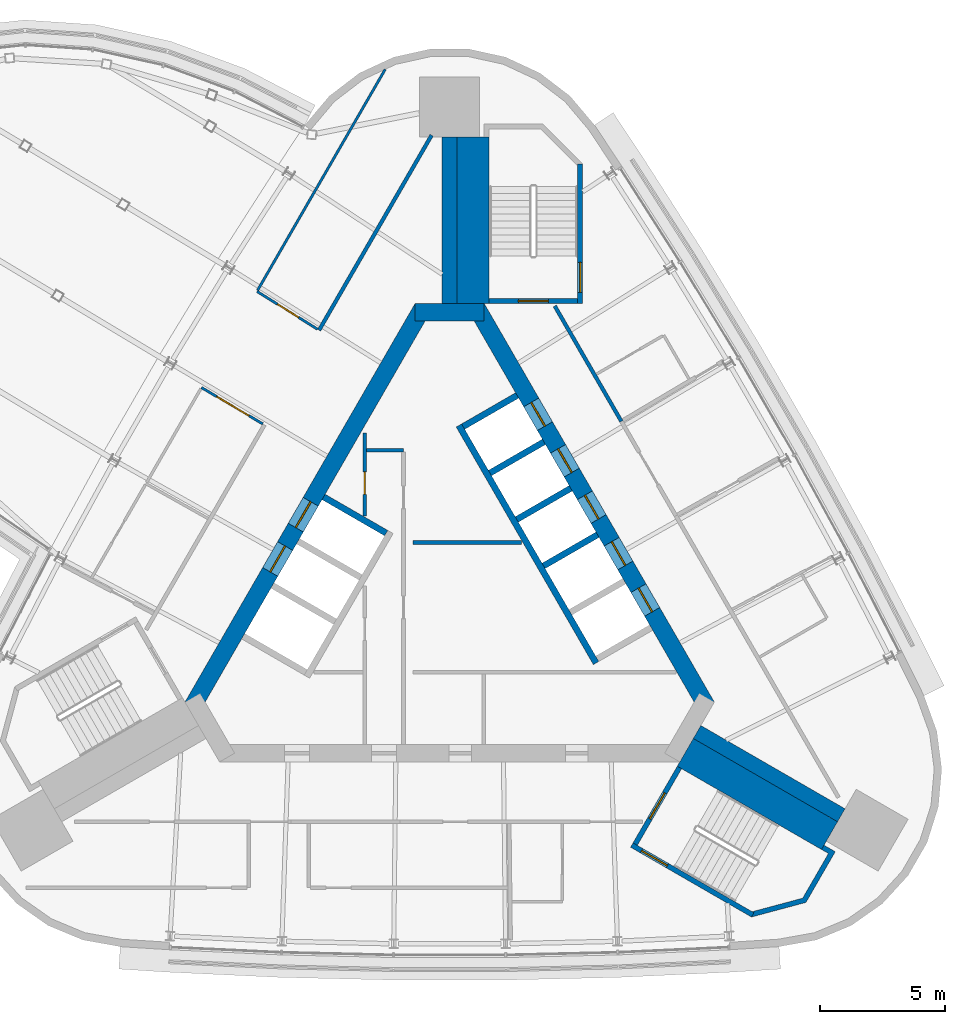
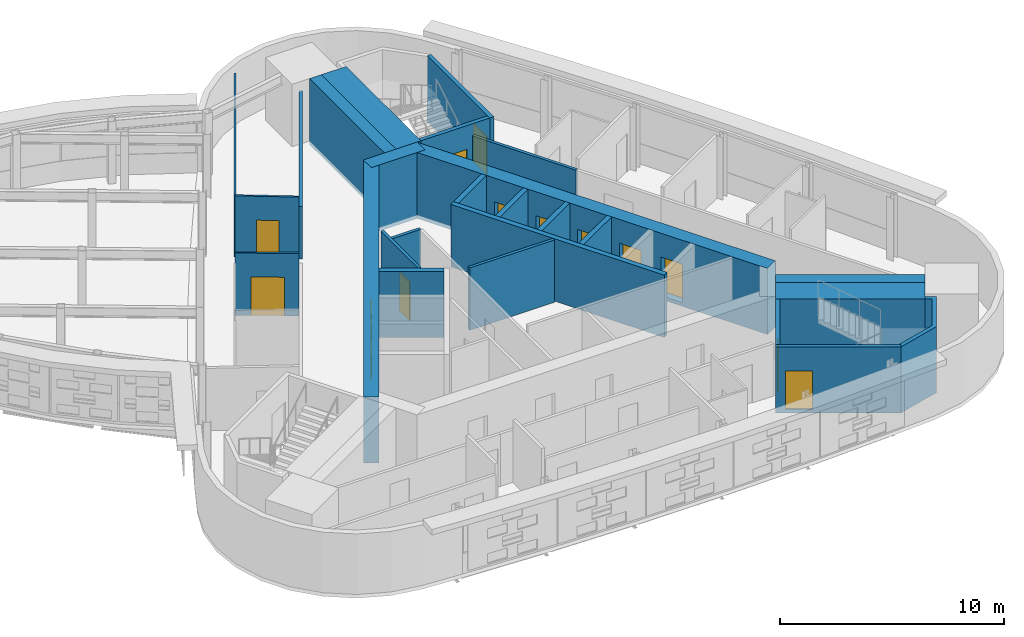
# One storey, part 10 of 13: 26 walls, 14 doors, 14 openings.
"""IFC4 building model written with IfcOpenShell, lengths in metres."""

from ifc_helpers import new_model, si_unit, direction, frame, frame_2d, origin, place, context, subcontext, project, spatial, polyline, rectangle, outline, extrude, material, layer, layer_set, type_object, element, fill, save


model = new_model("IFC4")

# Units and contexts
model_context = context("Model", 3, precision=1e-05, world=origin(), true_north=direction((0.0, 1.0)))
body_context = subcontext(model_context, "Body", "Model", "MODEL_VIEW")
ifc_project = project(units=[si_unit("LENGTHUNIT", "METRE"), si_unit("AREAUNIT", "SQUARE_METRE"), si_unit("VOLUMEUNIT", "CUBIC_METRE"), si_unit("PLANEANGLEUNIT", "RADIAN"), si_unit("MASSUNIT", "GRAM", prefix="KILO")], contexts=[model_context])

# Site, building, storey
site_placement = place(None, origin())
site = spatial("IfcSite", under=ifc_project, at=site_placement, CompositionType="ELEMENT")
building_placement = place(site_placement, origin())
building = spatial("IfcBuilding", under=site, at=building_placement, Name="Noor Cloister Tower", CompositionType="ELEMENT")
storey_placement = place(building_placement, frame((0.0, 0.0, 270.60009765625)))
storey = spatial("IfcBuildingStorey", under=building, at=storey_placement, Name="L69", CompositionType="ELEMENT", Elevation=270.60009765625)

# Walls
ifc_material_1 = material(Name="Concrete C60/75", Category="concrete")
ifc_layer_1 = layer(ifc_material_1, 0.60009765625)
ifc_layer_set_1 = layer_set([ifc_layer_1], Name="Buttress wall 600 C60/75")
wall_type_1 = type_object("IfcWallType", Name="Buttress wall 600 C60/75", PredefinedType="SHEAR", material=ifc_layer_set_1)
wall_1_placement = place(storey_placement, frame((0.0, 11.456298828125, -0.2001953125), z_axis=(0.0, 0.0, 1.0), x_axis=(0.0, 1.0, 0.0)))
element("IfcWall", 1, at=wall_1_placement, inside=storey, type_object=wall_type_1, Name="Buttress wall N L69", PredefinedType="SHEAR", context=body_context, shape_type="SweptSolid", body=[
    extrude(rectangle(XDim=6.6787109375, YDim=0.60009765625, at=frame_2d((3.33935546875, 0.0))), origin(), (0.0, 0.0, 1.0), 3.60009765625),
])
wall_2_placement = place(storey_placement, frame((9.921630859375, -5.728271484375, -0.2001953125), z_axis=(0.0, 0.0, 1.0), x_axis=(0.866032176823, -0.499988268569, 0.0)))
element("IfcWall", 2, at=wall_2_placement, inside=storey, type_object=wall_type_1, Name="Buttress wall SE L69", PredefinedType="SHEAR", context=body_context, shape_type="SweptSolid", body=[
    extrude(rectangle(XDim=6.678466796875, YDim=0.60009765625, at=frame_2d((3.33935546875, 0.0))), origin(), (0.0, 0.0, 1.0), 3.60009765625),
])

# Wall, opening, door
ifc_material_2 = material(Name="Concrete C30/37", Category="concrete")
ifc_layer_2 = layer(ifc_material_2, 0.14990234375)
ifc_layer_set_2 = layer_set([ifc_layer_2], Name="Core partition 150 C30/37")
wall_type_2 = type_object("IfcWallType", Name="Core partition 150 C30/37", PredefinedType="PARTITIONING", material=ifc_layer_set_2)
wall_3_placement = place(storey_placement, frame((-3.40380859375, 6.260986328125, 0.0), z_axis=(0.0, 0.0, 1.0), x_axis=(0.0, -1.0, 0.0)))
wall_3 = element("IfcWall", 3, at=wall_3_placement, inside=storey, type_object=wall_type_2, Name="Core room partition L69 3", PredefinedType="PARTITIONING", context=body_context, shape_type="SweptSolid", body=[
    extrude(rectangle(XDim=3.3271484375, YDim=0.14990234375, at=frame_2d((1.66357421875, 0.0))), origin(), (0.0, 0.0, 1.0), 3.39990234375),
])
opening_1_placement = place(wall_3_placement, frame((1.55712890625, 0.0, 0.0)))
opening_1 = element("IfcOpeningElement", 4, at=opening_1_placement, cuts=wall_3, Name="Opening L69-907", PredefinedType="OPENING", context=body_context, shape_type="SweptSolid", body=[
    extrude(rectangle(XDim=0.89990234375, YDim=2.10009765625, at=frame_2d((0.449951171875, 1.050048828125))), frame((0.0, 0.0849609375, 0.0), z_axis=(0.0, -1.0, 0.0), x_axis=(1.0, 0.0, 0.0)), (0.0, 0.0, 1.0), 0.169921875),
])
ifc_material_3 = material(Name="Steel", Category="steel")
door_type_1 = type_object("IfcDoorType", Name="Core door 900 x 2100 FD120", OperationType="SINGLE_SWING_LEFT", PredefinedType="DOOR", material=ifc_material_3)
door_1_placement = place(opening_1_placement, origin())
door_1 = element("IfcDoor", 5, at=door_1_placement, inside=storey, type_object=door_type_1, Name="Core door 7 L69", OperationType="SINGLE_SWING_LEFT", OverallHeight=2.10009765625, OverallWidth=0.89990234375, PredefinedType="DOOR", context=body_context, shape_type="SweptSolid", body=[
    extrude(rectangle(XDim=0.89990234375, YDim=2.10009765625, at=frame_2d((0.449951171875, 1.050048828125))), frame((0.0, 0.02490234375, 0.0), z_axis=(0.0, -1.0, 0.0), x_axis=(1.0, 0.0, 0.0)), (0.0, 0.0, 1.0), 0.050048828125),
])
fill(opening_1, door_1)

# Walls
wall_4_placement = place(storey_placement, frame((-3.32861328125, 5.57177734375, 0.0), z_axis=(0.0, 0.0, 1.0), x_axis=(1.0, 0.0, 0.0)))
element("IfcWall", 6, at=wall_4_placement, inside=storey, type_object=wall_type_2, Name="Core room partition L69 4", PredefinedType="PARTITIONING", context=body_context, shape_type="SweptSolid", body=[
    extrude(rectangle(XDim=1.474853515625, YDim=0.14990234375, at=frame_2d((0.7373046875, 0.0))), origin(), (0.0, 0.0, 1.0), 3.39990234375),
])
wall_5_placement = place(storey_placement, frame((-1.478759765625, 1.871826171875, 0.0), z_axis=(0.0, 0.0, 1.0), x_axis=(1.0, 0.0, 0.0)))
element("IfcWall", 7, at=wall_5_placement, inside=storey, type_object=wall_type_2, Name="Core room partition L69 7", PredefinedType="PARTITIONING", context=body_context, shape_type="SweptSolid", body=[
    extrude(rectangle(XDim=4.369384765625, YDim=0.14990234375, at=frame_2d((2.1845703125, 0.0))), origin(), (0.0, 0.0, 1.0), 3.39990234375),
])

# Wall, openings, doors
ifc_material_4 = material(Name="Concrete C60/75", Category="concrete")
ifc_layer_3 = layer(ifc_material_4, 0.699951171875)
ifc_layer_set_3 = layer_set([ifc_layer_3], Name="Core wall 700 C60/75")
wall_type_3 = type_object("IfcWallType", Name="Core wall 700 C60/75", PredefinedType="SHEAR", material=ifc_layer_set_3)
wall_6_placement = place(storey_placement, frame((10.311279296875, -4.703125, -0.2001953125), z_axis=(0.0, 0.0, 1.0), x_axis=(-0.500001446645, 0.866024568562, 0.0)))
wall_6 = element("IfcWall", 8, at=wall_6_placement, inside=storey, type_object=wall_type_3, Name="Core wall L69 3", PredefinedType="SHEAR", context=body_context, shape_type="SweptSolid", body=[
    extrude(rectangle(XDim=18.45751953125, YDim=0.699951171875, at=frame_2d((9.228759765625, 0.0))), origin(), (0.0, 0.0, 1.0), 3.60009765625),
])
opening_2_placement = place(wall_6_placement, frame((4.378662109375, 0.0, 0.199951171875)))
opening_2 = element("IfcOpeningElement", 9, at=opening_2_placement, cuts=wall_6, Name="Opening L69-HR1", PredefinedType="OPENING", context=body_context, shape_type="SweptSolid", body=[
    extrude(rectangle(XDim=1.10009765625, YDim=2.10009765625, at=frame_2d((0.550048828125, 1.050048828125))), frame((0.0, 0.35986328125, 0.0), z_axis=(0.0, -1.0, 0.0), x_axis=(1.0, 0.0, 0.0)), (0.0, 0.0, 1.0), 0.719970703125),
])
opening_3_placement = place(wall_6_placement, frame((6.52880859375, 0.0, 0.199951171875)))
opening_3 = element("IfcOpeningElement", 10, at=opening_3_placement, cuts=wall_6, Name="Opening L69-HR2", PredefinedType="OPENING", context=body_context, shape_type="SweptSolid", body=[
    extrude(rectangle(XDim=1.10009765625, YDim=2.10009765625, at=frame_2d((0.550048828125, 1.050048828125))), frame((0.0, 0.35986328125, 0.0), z_axis=(0.0, -1.0, 0.0), x_axis=(1.0, 0.0, 0.0)), (0.0, 0.0, 1.0), 0.719970703125),
])
opening_4_placement = place(wall_6_placement, frame((8.6787109375, 0.0, 0.199951171875)))
opening_4 = element("IfcOpeningElement", 11, at=opening_4_placement, cuts=wall_6, Name="Opening L69-HR3", PredefinedType="OPENING", context=body_context, shape_type="SweptSolid", body=[
    extrude(rectangle(XDim=1.10009765625, YDim=2.10009765625, at=frame_2d((0.550048828125, 1.050048828125))), frame((0.0, 0.35986328125, 0.0), z_axis=(0.0, -1.0, 0.0), x_axis=(1.0, 0.0, 0.0)), (0.0, 0.0, 1.0), 0.719970703125),
])
opening_5_placement = place(wall_6_placement, frame((10.82861328125, 0.0, 0.199951171875)))
opening_5 = element("IfcOpeningElement", 12, at=opening_5_placement, cuts=wall_6, Name="Opening L69-HR4", PredefinedType="OPENING", context=body_context, shape_type="SweptSolid", body=[
    extrude(rectangle(XDim=1.10009765625, YDim=2.10009765625, at=frame_2d((0.550048828125, 1.050048828125))), frame((0.0, 0.35986328125, 0.0), z_axis=(0.0, -1.0, 0.0), x_axis=(1.0, 0.0, 0.0)), (0.0, 0.0, 1.0), 0.719970703125),
])
opening_6_placement = place(wall_6_placement, frame((12.978759765625, 0.0, 0.199951171875)))
opening_6 = element("IfcOpeningElement", 13, at=opening_6_placement, cuts=wall_6, Name="Opening L69-HR5", PredefinedType="OPENING", context=body_context, shape_type="SweptSolid", body=[
    extrude(rectangle(XDim=1.10009765625, YDim=2.10009765625, at=frame_2d((0.550048828125, 1.050048828125))), frame((0.0, 0.35986328125, 0.0), z_axis=(0.0, -1.0, 0.0), x_axis=(1.0, 0.0, 0.0)), (0.0, 0.0, 1.0), 0.719970703125),
])
ifc_material_5 = material(Name="Stainless steel", Category="steel")
door_type_2 = type_object("IfcDoorType", Name="Lift landing door 1100 x 2100", OperationType="DOUBLE_DOOR_SLIDING", PredefinedType="DOOR", material=ifc_material_5)
door_2_placement = place(opening_2_placement, origin())
door_2 = element("IfcDoor", 14, at=door_2_placement, inside=storey, type_object=door_type_2, Name="Landing door HR1 L69", OperationType="DOUBLE_DOOR_SLIDING", OverallHeight=2.10009765625, OverallWidth=1.10009765625, PredefinedType="DOOR", context=body_context, shape_type="SweptSolid", body=[
    extrude(rectangle(XDim=1.10009765625, YDim=2.10009765625, at=frame_2d((0.550048828125, 1.050048828125))), frame((0.0, 0.02490234375, 0.0), z_axis=(0.0, -1.0, 0.0), x_axis=(1.0, 0.0, 0.0)), (0.0, 0.0, 1.0), 0.050048828125),
])
fill(opening_2, door_2)
door_3_placement = place(opening_3_placement, origin())
door_3 = element("IfcDoor", 15, at=door_3_placement, inside=storey, type_object=door_type_2, Name="Landing door HR2 L69", OperationType="DOUBLE_DOOR_SLIDING", OverallHeight=2.10009765625, OverallWidth=1.10009765625, PredefinedType="DOOR", context=body_context, shape_type="SweptSolid", body=[
    extrude(rectangle(XDim=1.10009765625, YDim=2.10009765625, at=frame_2d((0.550048828125, 1.050048828125))), frame((0.0, 0.02490234375, 0.0), z_axis=(0.0, -1.0, 0.0), x_axis=(1.0, 0.0, 0.0)), (0.0, 0.0, 1.0), 0.050048828125),
])
fill(opening_3, door_3)
door_4_placement = place(opening_4_placement, origin())
door_4 = element("IfcDoor", 16, at=door_4_placement, inside=storey, type_object=door_type_2, Name="Landing door HR3 L69", OperationType="DOUBLE_DOOR_SLIDING", OverallHeight=2.10009765625, OverallWidth=1.10009765625, PredefinedType="DOOR", context=body_context, shape_type="SweptSolid", body=[
    extrude(rectangle(XDim=1.10009765625, YDim=2.10009765625, at=frame_2d((0.550048828125, 1.050048828125))), frame((0.0, 0.02490234375, 0.0), z_axis=(0.0, -1.0, 0.0), x_axis=(1.0, 0.0, 0.0)), (0.0, 0.0, 1.0), 0.050048828125),
])
fill(opening_4, door_4)
door_5_placement = place(opening_5_placement, origin())
door_5 = element("IfcDoor", 17, at=door_5_placement, inside=storey, type_object=door_type_2, Name="Landing door HR4 L69", OperationType="DOUBLE_DOOR_SLIDING", OverallHeight=2.10009765625, OverallWidth=1.10009765625, PredefinedType="DOOR", context=body_context, shape_type="SweptSolid", body=[
    extrude(rectangle(XDim=1.10009765625, YDim=2.10009765625, at=frame_2d((0.550048828125, 1.050048828125))), frame((0.0, 0.02490234375, 0.0), z_axis=(0.0, -1.0, 0.0), x_axis=(1.0, 0.0, 0.0)), (0.0, 0.0, 1.0), 0.050048828125),
])
fill(opening_5, door_5)
door_6_placement = place(opening_6_placement, origin())
door_6 = element("IfcDoor", 18, at=door_6_placement, inside=storey, type_object=door_type_2, Name="Landing door HR5 L69", OperationType="DOUBLE_DOOR_SLIDING", OverallHeight=2.10009765625, OverallWidth=1.10009765625, PredefinedType="DOOR", context=body_context, shape_type="SweptSolid", body=[
    extrude(rectangle(XDim=1.10009765625, YDim=2.10009765625, at=frame_2d((0.550048828125, 1.050048828125))), frame((0.0, 0.02490234375, 0.0), z_axis=(0.0, -1.0, 0.0), x_axis=(1.0, 0.0, 0.0)), (0.0, 0.0, 1.0), 0.050048828125),
])
fill(opening_6, door_6)

# Wall
wall_7_placement = place(storey_placement, frame((1.3857421875, 11.1064453125, -0.2001953125), z_axis=(0.0, 0.0, 1.0), x_axis=(-1.0, 0.0, 0.0)))
element("IfcWall", 19, at=wall_7_placement, inside=storey, type_object=wall_type_3, Name="Core wall L69 4", PredefinedType="SHEAR", context=body_context, shape_type="SweptSolid", body=[
    extrude(rectangle(XDim=2.771484375, YDim=0.699951171875, at=frame_2d((1.3857421875, 0.0))), origin(), (0.0, 0.0, 1.0), 3.60009765625),
])

# Wall, openings, doors
wall_8_placement = place(storey_placement, frame((-1.08251953125, 11.281494140625, -0.2001953125), z_axis=(0.0, 0.0, 1.0), x_axis=(-0.500001446645, -0.866024568562, 0.0)))
wall_8 = element("IfcWall", 20, at=wall_8_placement, inside=storey, type_object=wall_type_3, Name="Core wall L69 5", PredefinedType="SHEAR", context=body_context, shape_type="SweptSolid", body=[
    extrude(rectangle(XDim=18.45751953125, YDim=0.699951171875, at=frame_2d((9.228759765625, 0.0))), origin(), (0.0, 0.0, 1.0), 3.60009765625),
])
opening_7_placement = place(wall_8_placement, frame((8.978759765625, 0.0, 0.199951171875)))
opening_7 = element("IfcOpeningElement", 21, at=opening_7_placement, cuts=wall_8, Name="Opening L69-FF1", PredefinedType="OPENING", context=body_context, shape_type="SweptSolid", body=[
    extrude(rectangle(XDim=1.199951171875, YDim=2.10009765625, at=frame_2d((0.60009765625, 1.050048828125))), frame((0.0, 0.35986328125, 0.0), z_axis=(0.0, -1.0, 0.0), x_axis=(1.0, 0.0, 0.0)), (0.0, 0.0, 1.0), 0.719970703125),
])
opening_8_placement = place(wall_8_placement, frame((11.02880859375, 0.0, 0.199951171875)))
opening_8 = element("IfcOpeningElement", 22, at=opening_8_placement, cuts=wall_8, Name="Opening L69-FF2", PredefinedType="OPENING", context=body_context, shape_type="SweptSolid", body=[
    extrude(rectangle(XDim=1.199951171875, YDim=2.10009765625, at=frame_2d((0.60009765625, 1.050048828125))), frame((0.0, 0.35986328125, 0.0), z_axis=(0.0, -1.0, 0.0), x_axis=(1.0, 0.0, 0.0)), (0.0, 0.0, 1.0), 0.719970703125),
])
ifc_material_6 = material(Name="Stainless steel", Category="steel")
door_type_3 = type_object("IfcDoorType", Name="Lift landing door 1200 x 2100", OperationType="DOUBLE_DOOR_SLIDING", PredefinedType="DOOR", material=ifc_material_6)
door_7_placement = place(opening_7_placement, origin())
door_7 = element("IfcDoor", 23, at=door_7_placement, inside=storey, type_object=door_type_3, Name="Landing door FF1 L69", OperationType="DOUBLE_DOOR_SLIDING", OverallHeight=2.10009765625, OverallWidth=1.199951171875, PredefinedType="DOOR", context=body_context, shape_type="SweptSolid", body=[
    extrude(rectangle(XDim=1.199951171875, YDim=2.10009765625, at=frame_2d((0.60009765625, 1.050048828125))), frame((0.0, 0.02490234375, 0.0), z_axis=(0.0, -1.0, 0.0), x_axis=(1.0, 0.0, 0.0)), (0.0, 0.0, 1.0), 0.050048828125),
])
fill(opening_7, door_7)
door_8_placement = place(opening_8_placement, origin())
door_8 = element("IfcDoor", 24, at=door_8_placement, inside=storey, type_object=door_type_3, Name="Landing door FF2 L69", OperationType="DOUBLE_DOOR_SLIDING", OverallHeight=2.10009765625, OverallWidth=1.199951171875, PredefinedType="DOOR", context=body_context, shape_type="SweptSolid", body=[
    extrude(rectangle(XDim=1.199951171875, YDim=2.10009765625, at=frame_2d((0.60009765625, 1.050048828125))), frame((0.0, 0.02490234375, 0.0), z_axis=(0.0, -1.0, 0.0), x_axis=(1.0, 0.0, 0.0)), (0.0, 0.0, 1.0), 0.050048828125),
])
fill(opening_8, door_8)

# Walls
ifc_material_7 = material(Name="Fire-rated gypsum board partition on steel studs, 150 mm", Category="steel")
ifc_layer_4 = layer(ifc_material_7, 0.14990234375)
ifc_layer_set_4 = layer_set([ifc_layer_4], Name="Fire lobby wall 150")
wall_type_4 = type_object("IfcWallType", Name="Fire lobby wall 150", PredefinedType="PARTITIONING", material=ifc_layer_set_4)
wall_9_placement = place(storey_placement, frame((-0.72265625, 18.20458984375, 0.0), z_axis=(0.0, 0.0, 1.0), x_axis=(-0.500010391421, -0.866019404212, 0.0)))
element("IfcWall", 25, at=wall_9_placement, inside=storey, type_object=wall_type_4, Name="Wall L69-W21", PredefinedType="PARTITIONING", context=body_context, shape_type="SweptSolid", body=[
    extrude(rectangle(XDim=9.027587890625, YDim=0.14990234375, at=frame_2d((4.513671875, 0.0))), origin(), (0.0, 0.0, 1.0), 2.851806640625),
])
ifc_material_8 = material(Name="Gypsum board partition on steel studs, 150 mm", Category="steel")
ifc_layer_5 = layer(ifc_material_8, 0.14990234375)
ifc_layer_set_5 = layer_set([ifc_layer_5], Name="Flat wall 150")
wall_type_5 = type_object("IfcWallType", Name="Flat wall 150", PredefinedType="PARTITIONING", material=ifc_layer_set_5)
wall_10_placement = place(storey_placement, frame((6.885009765625, 6.731201171875, 0.0), z_axis=(0.0, 0.0, 1.0), x_axis=(-0.500003399299, 0.866023441189, 0.0)))
element("IfcWall", 26, at=wall_10_placement, inside=storey, type_object=wall_type_5, Name="Wall L69-W02", PredefinedType="PARTITIONING", context=body_context, shape_type="SweptSolid", body=[
    extrude(rectangle(XDim=5.3408203125, YDim=0.14990234375, at=frame_2d((2.67041015625, 0.0))), origin(), (0.0, 0.0, 1.0), 2.851806640625),
])

# Wall, opening, door
ifc_material_9 = material(Name="Gypsum board partition on steel studs, 100 mm", Category="steel")
ifc_layer_6 = layer(ifc_material_9, 0.10009765625)
ifc_layer_set_6 = layer_set([ifc_layer_6], Name="Partition 100")
wall_type_6 = type_object("IfcWallType", Name="Partition 100", PredefinedType="PARTITIONING", material=ifc_layer_set_6)
wall_11_placement = place(storey_placement, frame((-5.30029296875, 10.426025390625, 0.0), z_axis=(0.0, 0.0, 1.0), x_axis=(-0.84806062783, 0.529899208835, 0.0)))
wall_11 = element("IfcWall", 27, at=wall_11_placement, inside=storey, type_object=wall_type_6, Name="Wall L69-W24", PredefinedType="PARTITIONING", context=body_context, shape_type="SweptSolid", body=[
    extrude(rectangle(XDim=2.860595703125, YDim=0.10009765625, at=frame_2d((1.43017578125, 0.0))), origin(), (0.0, 0.0, 1.0), 3.39990234375),
])
opening_9_placement = place(wall_11_placement, frame((0.892822265625, 0.0, 0.0)))
opening_9 = element("IfcOpeningElement", 28, at=opening_9_placement, cuts=wall_11, Name="Opening L69-014", PredefinedType="OPENING", context=body_context, shape_type="SweptSolid", body=[
    extrude(rectangle(XDim=1.0, YDim=2.10009765625, at=frame_2d((0.5, 1.050048828125))), frame((0.0, 0.06005859375, 0.0), z_axis=(0.0, -1.0, 0.0), x_axis=(1.0, 0.0, 0.0)), (0.0, 0.0, 1.0), 0.1201171875),
])
ifc_material_10 = material(Name="Timber door leaf with steel frame", Category="steel")
door_type_4 = type_object("IfcDoorType", Name="Interior door 1000", OperationType="NOTDEFINED", PredefinedType="DOOR", material=ifc_material_10)
door_9_placement = place(opening_9_placement, origin())
door_9 = element("IfcDoor", 29, at=door_9_placement, inside=storey, type_object=door_type_4, Name="Door L69-014", OperationType="SINGLE_SWING_RIGHT", OverallHeight=2.10009765625, OverallWidth=1.0, PredefinedType="DOOR", context=body_context, shape_type="SweptSolid", body=[
    extrude(rectangle(XDim=1.0, YDim=2.10009765625, at=frame_2d((0.5, 1.050048828125))), frame((0.0, 0.02490234375, 0.0), z_axis=(0.0, -1.0, 0.0), x_axis=(1.0, 0.0, 0.0)), (0.0, 0.0, 1.0), 0.050048828125),
])
fill(opening_9, door_9)

wall_12_placement = place(storey_placement, frame((-7.49365234375, 6.626953125, 0.0), z_axis=(0.0, 0.0, 1.0), x_axis=(-0.860170843297, 0.510006000299, 0.0)))
wall_12 = element("IfcWall", 30, at=wall_12_placement, inside=storey, type_object=wall_type_6, Name="Wall L69-W25", PredefinedType="PARTITIONING", context=body_context, shape_type="SweptSolid", body=[
    extrude(rectangle(XDim=2.859375, YDim=0.10009765625, at=frame_2d((1.4296875, 0.0))), origin(), (0.0, 0.0, 1.0), 3.39990234375),
])
opening_10_placement = place(wall_12_placement, frame((0.64208984375, 0.0, 0.0)))
opening_10 = element("IfcOpeningElement", 31, at=opening_10_placement, cuts=wall_12, Name="Opening L69-015", PredefinedType="OPENING", context=body_context, shape_type="SweptSolid", body=[
    extrude(rectangle(XDim=1.5, YDim=2.10009765625, at=frame_2d((0.75, 1.050048828125))), frame((0.0, 0.06005859375, 0.0), z_axis=(0.0, -1.0, 0.0), x_axis=(1.0, 0.0, 0.0)), (0.0, 0.0, 1.0), 0.1201171875),
])
ifc_material_11 = material(Name="Timber door leaf with steel frame", Category="steel")
door_type_5 = type_object("IfcDoorType", Name="Double door 1500", OperationType="NOTDEFINED", PredefinedType="DOOR", material=ifc_material_11)
door_10_placement = place(opening_10_placement, origin())
door_10 = element("IfcDoor", 32, at=door_10_placement, inside=storey, type_object=door_type_5, Name="Door L69-015", OperationType="DOUBLE_DOOR_SINGLE_SWING", OverallHeight=2.10009765625, OverallWidth=1.5, PredefinedType="DOOR", context=body_context, shape_type="SweptSolid", body=[
    extrude(rectangle(XDim=1.5, YDim=2.10009765625, at=frame_2d((0.75, 1.050048828125))), frame((0.0, 0.02490234375, 0.0), z_axis=(0.0, -1.0, 0.0), x_axis=(1.0, 0.0, 0.0)), (0.0, 0.0, 1.0), 0.050048828125),
])
fill(opening_10, door_10)

# Walls
wall_13_placement = place(storey_placement, frame((-2.585693359375, 20.845947265625, 0.0), z_axis=(0.0, 0.0, 1.0), x_axis=(-0.499993724355, -0.866029026999, 0.0)))
element("IfcWall", 33, at=wall_13_placement, inside=storey, type_object=wall_type_6, Name="Wall L69-W27", PredefinedType="PARTITIONING", context=body_context, shape_type="SweptSolid", body=[
    extrude(rectangle(XDim=10.231689453125, YDim=0.10009765625, at=frame_2d((5.11572265625, 0.0))), origin(), (0.0, 0.0, 1.0), 2.851806640625),
])
ifc_material_12 = material(Name="Concrete C60/75", Category="concrete")
ifc_layer_7 = layer(ifc_material_12, 0.25)
ifc_layer_set_7 = layer_set([ifc_layer_7], Name="Shaft wall 250 C60/75")
wall_type_7 = type_object("IfcWallType", Name="Shaft wall 250 C60/75", PredefinedType="PARTITIONING", material=ifc_layer_set_7)
wall_14_placement = place(storey_placement, frame((5.931396484375, 2.18310546875, -0.2001953125), z_axis=(0.0, 0.0, 1.0), x_axis=(-0.866047370643, -0.499961950354, 0.0)))
element("IfcWall", 34, at=wall_14_placement, inside=storey, type_object=wall_type_7, Name="Lift shaft wall L69 NE 3", PredefinedType="PARTITIONING", context=body_context, shape_type="SweptSolid", body=[
    extrude(rectangle(XDim=2.500244140625, YDim=0.25, at=frame_2d((1.25, 0.0))), origin(), (0.0, 0.0, 1.0), 3.60009765625),
])
for number, where, z_axis, x_axis, name in (
    (35, (4.856201171875, 4.045166015625, -0.2001953125), (0.0, 0.0, 1.0), (-0.866022959057, -0.500004234368, 0.0), "Lift shaft wall L69 NE 4"),
    (36, (3.78125, 5.906982421875, -0.2001953125), (0.0, 0.0, 1.0), (-0.866022959057, -0.500004234368, 0.0), "Lift shaft wall L69 NE 5"),
    (37, (2.706298828125, 7.76904296875, -0.2001953125), (0.0, 0.0, 1.0), (-0.866022959057, -0.500004234368, 0.0), "Lift shaft wall L69 NE 6"),
):
    element("IfcWall", number, at=place(storey_placement, frame(where, z_axis=z_axis, x_axis=x_axis)), inside=storey, type_object=wall_type_7, Name=name, PredefinedType="PARTITIONING", context=body_context, shape_type="SweptSolid", body=[
        extrude(rectangle(XDim=2.5, YDim=0.25, at=frame_2d((1.25, 0.0))), origin(), (0.0, 0.0, 1.0), 3.60009765625),
    ])
wall_15_placement = place(storey_placement, frame((5.870361328125, -2.96142578125, 0.0), z_axis=(0.0, 0.0, 1.0), x_axis=(-0.50000615651, 0.866021849293, 0.0)))
element("IfcWall", 38, at=wall_15_placement, inside=storey, type_object=wall_type_7, Name="Lift shaft back wall L69 NE", PredefinedType="PARTITIONING", context=body_context, shape_type="SweptSolid", body=[
    extrude(rectangle(XDim=10.999755859375, YDim=0.25, at=frame_2d((5.5, 0.0))), origin(), (0.0, 0.0, 1.0), 3.39990234375),
])
wall_16_placement = place(storey_placement, frame((-5.056396484375, 3.69873046875, -0.2001953125), z_axis=(0.0, 0.0, 1.0), x_axis=(0.866032775405, -0.499987231761, 0.0)))
element("IfcWall", 39, at=wall_16_placement, inside=storey, type_object=wall_type_7, Name="Lift shaft wall L69 NW 3", PredefinedType="PARTITIONING", context=body_context, shape_type="SweptSolid", body=[
    extrude(rectangle(XDim=2.89990234375, YDim=0.25, at=frame_2d((1.449951171875, 0.0))), origin(), (0.0, 0.0, 1.0), 3.60009765625),
])
ifc_material_13 = material(Name="Concrete C60/75", Category="concrete")
ifc_layer_8 = layer(ifc_material_13, 1.285888671875)
ifc_layer_set_8 = layer_set([ifc_layer_8], Name="Stair enclosure wall 1286 C60/75")
wall_type_8 = type_object("IfcWallType", Name="Stair enclosure wall 1286 C60/75", PredefinedType="SHEAR", material=ifc_layer_set_8)
wall_17_placement = place(storey_placement, frame((0.94287109375, 11.456298828125, -0.2001953125), z_axis=(0.0, 0.0, 1.0), x_axis=(0.0, 1.0, 0.0)))
element("IfcWall", 40, at=wall_17_placement, inside=storey, type_object=wall_type_8, Name="Stair enclosure wall ST1 L69 riser side", PredefinedType="SHEAR", context=body_context, shape_type="SweptSolid", body=[
    extrude(rectangle(XDim=6.6787109375, YDim=1.28564453125, at=frame_2d((3.33935546875, 0.0))), origin(), (0.0, 0.0, 1.0), 3.60009765625),
])
wall_18_placement = place(storey_placement, frame((9.4501953125, -6.544677734375, -0.2001953125), z_axis=(0.0, 0.0, 1.0), x_axis=(0.866016347338, -0.500015685897, 0.0)))
element("IfcWall", 41, at=wall_18_placement, inside=storey, type_object=wall_type_8, Name="Stair enclosure wall ST3 L69 riser side", PredefinedType="SHEAR", context=body_context, shape_type="SweptSolid", body=[
    extrude(rectangle(XDim=6.678466796875, YDim=1.28564453125, at=frame_2d((3.33935546875, 0.0))), origin(), (0.0, 0.0, 1.0), 3.60009765625),
])

# Wall, opening, door
ifc_material_14 = material(Name="Concrete C60/75", Category="concrete")
ifc_layer_9 = layer(ifc_material_14, 0.199951171875)
ifc_layer_set_9 = layer_set([ifc_layer_9], Name="Stair enclosure wall 200 C60/75")
wall_type_9 = type_object("IfcWallType", Name="Stair enclosure wall 200 C60/75", PredefinedType="SHEAR", material=ifc_layer_set_9)
wall_19_placement = place(storey_placement, frame((5.135498046875, 11.556396484375, -0.2001953125), z_axis=(0.0, 0.0, 1.0), x_axis=(-1.0, 0.0, 0.0)))
wall_19 = element("IfcWall", 42, at=wall_19_placement, inside=storey, type_object=wall_type_9, Name="Stair enclosure wall ST1 L69 near end", PredefinedType="SHEAR", context=body_context, shape_type="SweptSolid", body=[
    extrude(rectangle(XDim=3.5498046875, YDim=0.199951171875, at=frame_2d((1.77490234375, 0.0))), origin(), (0.0, 0.0, 1.0), 3.60009765625),
])
opening_11_placement = place(wall_19_placement, frame((1.175048828125, 0.0, 0.199951171875)))
opening_11 = element("IfcOpeningElement", 43, at=opening_11_placement, cuts=wall_19, Name="Opening L69-ST1L", PredefinedType="OPENING", context=body_context, shape_type="SweptSolid", body=[
    extrude(rectangle(XDim=1.199951171875, YDim=2.10009765625, at=frame_2d((0.60009765625, 1.050048828125))), frame((0.0, 0.10986328125, 0.0), z_axis=(0.0, -1.0, 0.0), x_axis=(1.0, 0.0, 0.0)), (0.0, 0.0, 1.0), 0.219970703125),
])
ifc_material_15 = material(Name="Steel", Category="steel")
door_type_6 = type_object("IfcDoorType", Name="Stair door 1200 x 2100 FD120", OperationType="SINGLE_SWING_LEFT", PredefinedType="DOOR", material=ifc_material_15)
door_11_placement = place(opening_11_placement, origin())
door_11 = element("IfcDoor", 44, at=door_11_placement, inside=storey, type_object=door_type_6, Name="Stair door ST1 L69", OperationType="SINGLE_SWING_RIGHT", OverallHeight=2.10009765625, OverallWidth=1.199951171875, PredefinedType="DOOR", context=body_context, shape_type="SweptSolid", body=[
    extrude(rectangle(XDim=1.199951171875, YDim=2.10009765625, at=frame_2d((0.60009765625, 1.050048828125))), frame((0.0, 0.02490234375, 0.0), z_axis=(0.0, -1.0, 0.0), x_axis=(1.0, 0.0, 0.0)), (0.0, 0.0, 1.0), 0.050048828125),
])
fill(opening_11, door_11)

wall_20_placement = place(storey_placement, frame((5.235595703125, 11.456298828125, -0.2001953125), z_axis=(0.0, 0.0, 1.0), x_axis=(0.0, 1.0, 0.0)))
wall_20 = element("IfcWall", 45, at=wall_20_placement, inside=storey, type_object=wall_type_9, Name="Stair enclosure wall ST1 L69 outer side", PredefinedType="SHEAR", context=body_context, shape_type="SweptSolid", body=[
    extrude(rectangle(XDim=5.60009765625, YDim=0.199951171875, at=frame_2d((2.800048828125, 0.0))), origin(), (0.0, 0.0, 1.0), 3.60009765625),
])
opening_12_placement = place(wall_20_placement, frame((0.449951171875, 0.0, 0.199951171875)))
opening_12 = element("IfcOpeningElement", 46, at=opening_12_placement, cuts=wall_20, Name="Opening L69-ST1C", PredefinedType="OPENING", context=body_context, shape_type="SweptSolid", body=[
    extrude(rectangle(XDim=1.199951171875, YDim=2.10009765625, at=frame_2d((0.60009765625, 1.050048828125))), frame((0.0, 0.10986328125, 0.0), z_axis=(0.0, -1.0, 0.0), x_axis=(1.0, 0.0, 0.0)), (0.0, 0.0, 1.0), 0.219970703125),
])
door_12_placement = place(opening_12_placement, origin())
door_12 = element("IfcDoor", 47, at=door_12_placement, inside=storey, type_object=door_type_6, Name="Stair door ST1 L69", OperationType="SINGLE_SWING_LEFT", OverallHeight=2.10009765625, OverallWidth=1.199951171875, PredefinedType="DOOR", context=body_context, shape_type="SweptSolid", body=[
    extrude(rectangle(XDim=1.199951171875, YDim=2.10009765625, at=frame_2d((0.60009765625, 1.050048828125))), frame((0.0, 0.02490234375, 0.0), z_axis=(0.0, -1.0, 0.0), x_axis=(1.0, 0.0, 0.0)), (0.0, 0.0, 1.0), 0.050048828125),
])
fill(opening_12, door_12)

wall_21_placement = place(storey_placement, frame((7.440185546875, -10.225830078125, -0.2001953125), z_axis=(0.0, 0.0, 1.0), x_axis=(0.500022077904, 0.866012656725, 0.0)))
wall_21 = element("IfcWall", 48, at=wall_21_placement, inside=storey, type_object=wall_type_9, Name="Stair enclosure wall ST3 L69 near end", PredefinedType="SHEAR", context=body_context, shape_type="SweptSolid", body=[
    extrude(rectangle(XDim=3.550048828125, YDim=0.199951171875, at=frame_2d((1.77490234375, 0.0))), origin(), (0.0, 0.0, 1.0), 3.60009765625),
])
opening_13_placement = place(wall_21_placement, frame((1.175048828125, 0.0, 0.199951171875)))
opening_13 = element("IfcOpeningElement", 49, at=opening_13_placement, cuts=wall_21, Name="Opening L69-ST3L", PredefinedType="OPENING", context=body_context, shape_type="SweptSolid", body=[
    extrude(rectangle(XDim=1.199951171875, YDim=2.10009765625, at=frame_2d((0.60009765625, 1.050048828125))), frame((0.0, 0.10986328125, 0.0), z_axis=(0.0, -1.0, 0.0), x_axis=(1.0, 0.0, 0.0)), (0.0, 0.0, 1.0), 0.219970703125),
])
door_13_placement = place(opening_13_placement, origin())
door_13 = element("IfcDoor", 50, at=door_13_placement, inside=storey, type_object=door_type_6, Name="Stair door ST3 L69", OperationType="SINGLE_SWING_RIGHT", OverallHeight=2.10009765625, OverallWidth=1.199951171875, PredefinedType="DOOR", context=body_context, shape_type="SweptSolid", body=[
    extrude(rectangle(XDim=1.199951171875, YDim=2.10009765625, at=frame_2d((0.60009765625, 1.050048828125))), frame((0.0, 0.02490234375, 0.0), z_axis=(0.0, -1.0, 0.0), x_axis=(1.0, 0.0, 0.0)), (0.0, 0.0, 1.0), 0.050048828125),
])
fill(opening_13, door_13)

wall_22_placement = place(storey_placement, frame((7.3037109375, -10.262451171875, -0.2001953125), z_axis=(0.0, 0.0, 1.0), x_axis=(0.866026594901, -0.49999793692, 0.0)))
wall_22 = element("IfcWall", 51, at=wall_22_placement, inside=storey, type_object=wall_type_9, Name="Stair enclosure wall ST3 L69 outer side", PredefinedType="SHEAR", context=body_context, shape_type="SweptSolid", body=[
    extrude(rectangle(XDim=5.60009765625, YDim=0.199951171875, at=frame_2d((2.800048828125, 0.0))), origin(), (0.0, 0.0, 1.0), 3.60009765625),
])
opening_14_placement = place(wall_22_placement, frame((0.449951171875, 0.0, 0.199951171875)))
opening_14 = element("IfcOpeningElement", 52, at=opening_14_placement, cuts=wall_22, Name="Opening L69-ST3C", PredefinedType="OPENING", context=body_context, shape_type="SweptSolid", body=[
    extrude(rectangle(XDim=1.199951171875, YDim=2.10009765625, at=frame_2d((0.60009765625, 1.050048828125))), frame((0.0, 0.10986328125, 0.0), z_axis=(0.0, -1.0, 0.0), x_axis=(1.0, 0.0, 0.0)), (0.0, 0.0, 1.0), 0.219970703125),
])
door_14_placement = place(opening_14_placement, origin())
door_14 = element("IfcDoor", 53, at=door_14_placement, inside=storey, type_object=door_type_6, Name="Stair door ST3 L69", OperationType="SINGLE_SWING_LEFT", OverallHeight=2.10009765625, OverallWidth=1.199951171875, PredefinedType="DOOR", context=body_context, shape_type="SweptSolid", body=[
    extrude(rectangle(XDim=1.199951171875, YDim=2.10009765625, at=frame_2d((0.60009765625, 1.050048828125))), frame((0.0, 0.02490234375, 0.0), z_axis=(0.0, -1.0, 0.0), x_axis=(1.0, 0.0, 0.0)), (0.0, 0.0, 1.0), 0.050048828125),
])
fill(opening_14, door_14)

# Wall
ifc_material_16 = material(Name="Concrete C60/75", Category="concrete")
wall_type_10 = type_object("IfcWallType", Name="Stair far end wall C60/75", PredefinedType="SHEAR", material=ifc_material_16)
wall_23_placement = place(storey_placement, frame((0.0, 0.0, -0.2001953125)))
element("IfcWall", 54, at=wall_23_placement, inside=storey, type_object=wall_type_10, Name="Stair enclosure wall ST3 L69 far end", PredefinedType="SHEAR", context=body_context, shape_type="SweptSolid", body=[
    extrude(outline(polyline([(12.103515625, -13.14892578125), (14.2890625, -12.5634765625), (15.464111328125, -10.5283203125), (15.0126953125, -10.267578125), (14.91259765625, -10.440673828125), (15.19091796875, -10.601318359375), (14.1572265625, -12.3916015625), (12.131591796875, -12.934326171875), (12.20361328125, -12.975830078125), (12.20361328125, -12.975830078125), (12.20361328125, -12.975830078125), (12.20361328125, -12.975830078125), (12.20361328125, -12.975830078125), (12.20361328125, -12.975830078125), (12.20361328125, -12.975830078125), (12.20361328125, -12.975830078125), (12.20361328125, -12.975830078125), (12.20361328125, -12.975830078125), (12.20361328125, -12.975830078125), (12.20361328125, -12.975830078125), (12.20361328125, -12.975830078125), (12.20361328125, -12.975830078125), (12.20361328125, -12.975830078125), (12.20361328125, -12.975830078125), (12.20361328125, -12.975830078125), (12.103515625, -13.14892578125)])), origin(), (0.0, 0.0, 1.0), 3.60009765625),
])

save(model, "model.ifc")
